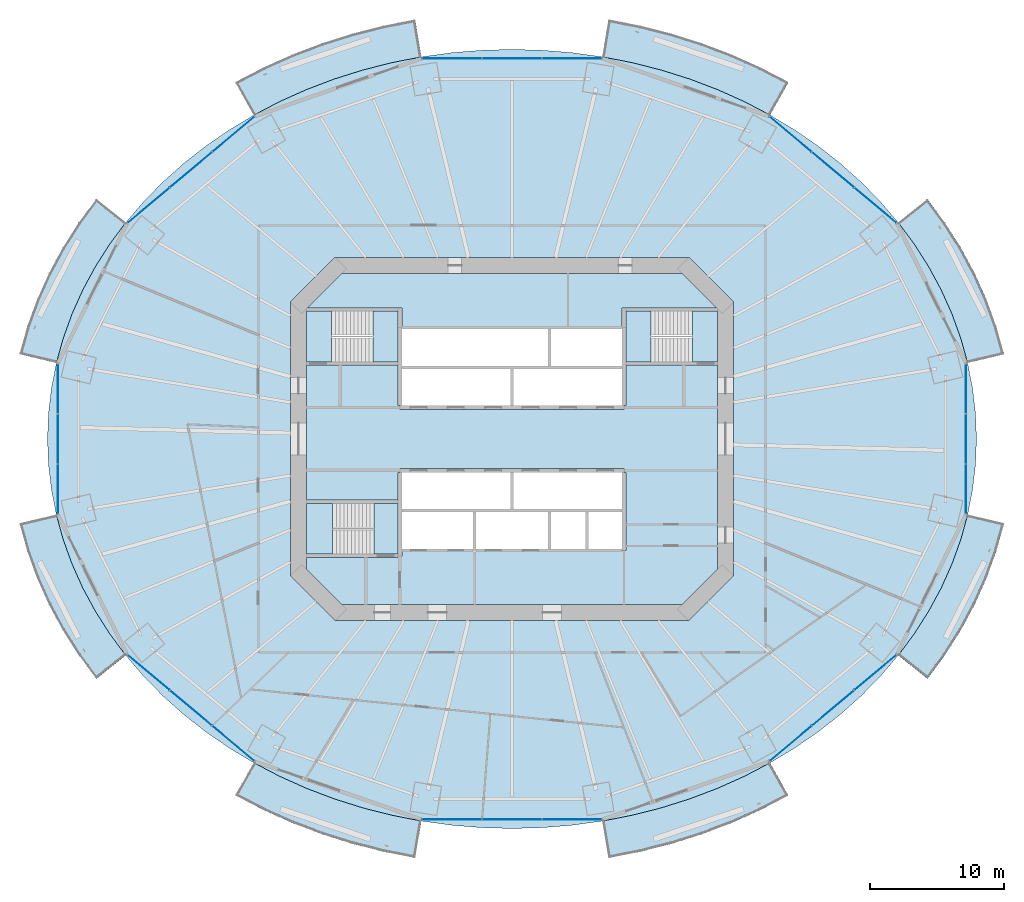
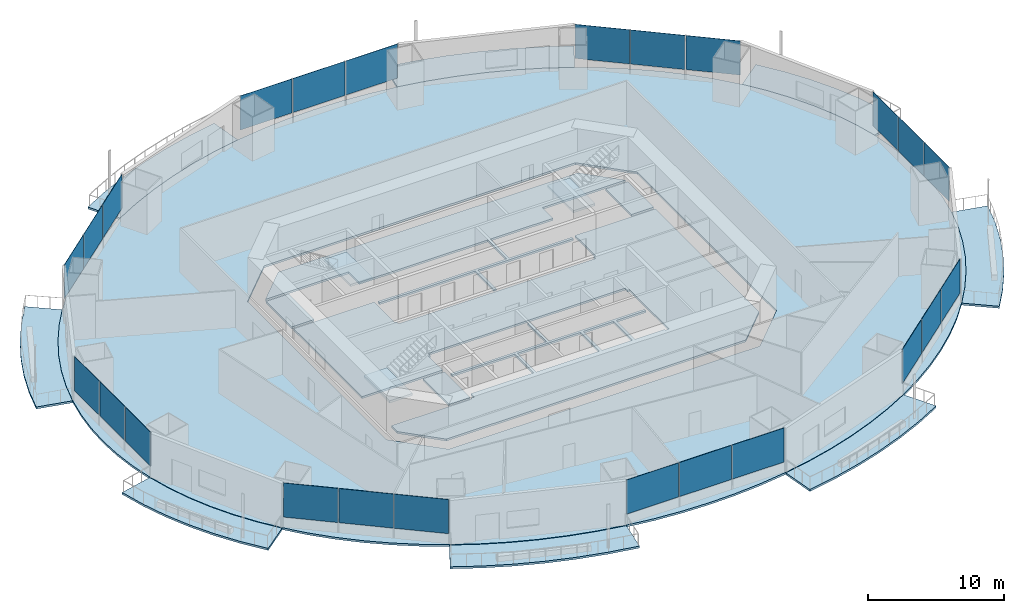
# One storey, part 12 of 22: 24 plates, 17 slabs, 11 elements without a shape of their own.
"""IFC4 building model written with IfcOpenShell, lengths in metres."""

from ifc_helpers import new_model, si_unit, direction, frame, origin, origin_2d, place, context, subcontext, project, spatial, polyline, rectangle, outline, extrude, material, layer, layer_set, type_object, element, aggregate, save


model = new_model("IFC4")

# Units and contexts
model_context = context("Model", 3, precision=1e-05, world=origin(), true_north=direction((0.0, 1.0)))
body_context = subcontext(model_context, "Body", "Model", "MODEL_VIEW")
ifc_project = project(units=[si_unit("LENGTHUNIT", "METRE"), si_unit("AREAUNIT", "SQUARE_METRE"), si_unit("VOLUMEUNIT", "CUBIC_METRE"), si_unit("PLANEANGLEUNIT", "RADIAN"), si_unit("MASSUNIT", "GRAM", prefix="KILO")], contexts=[model_context])

# Site, building, storey
site_placement = place(None, origin())
site = spatial("IfcSite", under=ifc_project, at=site_placement, CompositionType="ELEMENT")
building_placement = place(site_placement, origin())
building = spatial("IfcBuilding", under=site, at=building_placement, Name="Marenthal Gate Tower", CompositionType="ELEMENT")
storey_placement = place(building_placement, frame((0.0, 0.0, 103.550048828125)))
storey = spatial("IfcBuildingStorey", under=building, at=storey_placement, Name="L21", CompositionType="ELEMENT", Elevation=103.550048828125)

# Slabs
ifc_material_1 = material(Name="Concrete 40 MPa", Category="concrete")
ifc_layer_1 = layer(ifc_material_1, 0.179931640625)
ifc_layer_set_1 = layer_set([ifc_layer_1], Name="Balcony deck 180")
slab_type_1 = type_object("IfcSlabType", Name="Balcony deck 180", PredefinedType="USERDEFINED", material=ifc_layer_set_1)
slab_1_placement = place(storey_placement, frame((0.0, 0.0, -0.219970703125)))
element("IfcSlab", 1, at=slab_1_placement, inside=storey, type_object=slab_type_1, Name="Balcony deck L21 bay 1", ObjectType="BALCONY", PredefinedType="USERDEFINED", context=body_context, shape_type="SweptSolid", body=[
    extrude(outline(polyline([(34.11962890625, 5.69140625), (33.6025390625, 7.550537109375), (32.94189453125, 9.37744140625), (32.139892578125, 11.1640625), (31.200439453125, 12.90283203125), (30.127197265625, 14.58642578125), (28.92529296875, 16.207763671875), (31.114990234375, 17.95263671875), (32.43359375, 16.17431640625), (33.614013671875, 14.322265625), (34.650390625, 12.404052734375), (35.537109375, 10.427978515625), (36.269775390625, 8.40283203125), (36.843994140625, 6.337646484375), (34.11962890625, 5.69140625)])), origin(), (0.0, 0.0, 1.0), 0.179931640625),
])
slab_2_placement = place(storey_placement, frame((0.0, 0.0, -0.219970703125)))
element("IfcSlab", 2, at=slab_2_placement, inside=storey, type_object=slab_type_1, Name="Balcony deck L21 bay 3", ObjectType="BALCONY", PredefinedType="USERDEFINED", context=body_context, shape_type="SweptSolid", body=[
    extrude(outline(polyline([(19.3271484375, 24.256591796875), (17.39404296875, 25.2646484375), (15.38623046875, 26.16455078125), (13.312744140625, 26.952392578125), (11.18212890625, 27.624755859375), (9.00390625, 28.178955078125), (6.786865234375, 28.6123046875), (7.24755859375, 31.374267578125), (9.61767578125, 30.910888671875), (11.94873046875, 30.31787109375), (14.2314453125, 29.59716796875), (16.456298828125, 28.751953125), (18.6142578125, 27.78466796875), (20.69580078125, 26.69921875), (19.3271484375, 24.256591796875)])), origin(), (0.0, 0.0, 1.0), 0.179931640625),
])
slab_3_placement = place(storey_placement, frame((0.0, 0.0, -0.219970703125)))
element("IfcSlab", 3, at=slab_3_placement, inside=storey, type_object=slab_type_1, Name="Balcony deck L21 bay 5", ObjectType="BALCONY", PredefinedType="USERDEFINED", context=body_context, shape_type="SweptSolid", body=[
    extrude(outline(polyline([(-6.786865234375, 28.6123046875), (-9.00390625, 28.178955078125), (-11.18212890625, 27.624755859375), (-13.312744140625, 26.952392578125), (-15.38623046875, 26.16455078125), (-17.39404296875, 25.2646484375), (-19.3271484375, 24.256591796875), (-20.69580078125, 26.69921875), (-18.6142578125, 27.78466796875), (-16.456298828125, 28.751953125), (-14.2314453125, 29.59716796875), (-11.94873046875, 30.31787109375), (-9.61767578125, 30.910888671875), (-7.24755859375, 31.374267578125), (-6.786865234375, 28.6123046875)])), origin(), (0.0, 0.0, 1.0), 0.179931640625),
])
slab_4_placement = place(storey_placement, frame((0.0, 0.0, -0.219970703125)))
element("IfcSlab", 4, at=slab_4_placement, inside=storey, type_object=slab_type_1, Name="Balcony deck L21 bay 7", ObjectType="BALCONY", PredefinedType="USERDEFINED", context=body_context, shape_type="SweptSolid", body=[
    extrude(outline(polyline([(-28.92529296875, 16.207763671875), (-30.127197265625, 14.58642578125), (-31.200439453125, 12.90283203125), (-32.139892578125, 11.1640625), (-32.94189453125, 9.37744140625), (-33.6025390625, 7.550537109375), (-34.11962890625, 5.69140625), (-36.843994140625, 6.337646484375), (-36.269775390625, 8.40283203125), (-35.537109375, 10.427978515625), (-34.650390625, 12.404052734375), (-33.614013671875, 14.322265625), (-32.43359375, 16.17431640625), (-31.114990234375, 17.95263671875), (-28.92529296875, 16.207763671875)])), origin(), (0.0, 0.0, 1.0), 0.179931640625),
])
slab_5_placement = place(storey_placement, frame((0.0, 0.0, -0.219970703125)))
element("IfcSlab", 5, at=slab_5_placement, inside=storey, type_object=slab_type_1, Name="Balcony deck L21 bay 9", ObjectType="BALCONY", PredefinedType="USERDEFINED", context=body_context, shape_type="SweptSolid", body=[
    extrude(outline(polyline([(-34.11962890625, -5.69140625), (-33.6025390625, -7.550537109375), (-32.94189453125, -9.37744140625), (-32.139892578125, -11.1640625), (-31.200439453125, -12.90283203125), (-30.127197265625, -14.58642578125), (-28.92529296875, -16.207763671875), (-31.114990234375, -17.95263671875), (-32.43359375, -16.17431640625), (-33.614013671875, -14.322265625), (-34.650390625, -12.404052734375), (-35.537109375, -10.427978515625), (-36.269775390625, -8.40283203125), (-36.843994140625, -6.337646484375), (-34.11962890625, -5.69140625)])), origin(), (0.0, 0.0, 1.0), 0.179931640625),
])
slab_6_placement = place(storey_placement, frame((0.0, 0.0, -0.219970703125)))
element("IfcSlab", 6, at=slab_6_placement, inside=storey, type_object=slab_type_1, Name="Balcony deck L21 bay 11", ObjectType="BALCONY", PredefinedType="USERDEFINED", context=body_context, shape_type="SweptSolid", body=[
    extrude(outline(polyline([(-19.3271484375, -24.256591796875), (-17.39404296875, -25.2646484375), (-15.38623046875, -26.16455078125), (-13.312744140625, -26.952392578125), (-11.18212890625, -27.624755859375), (-9.00390625, -28.178955078125), (-6.786865234375, -28.6123046875), (-7.24755859375, -31.374267578125), (-9.61767578125, -30.910888671875), (-11.94873046875, -30.31787109375), (-14.2314453125, -29.59716796875), (-16.456298828125, -28.751953125), (-18.6142578125, -27.78466796875), (-20.69580078125, -26.69921875), (-19.3271484375, -24.256591796875)])), origin(), (0.0, 0.0, 1.0), 0.179931640625),
])
slab_7_placement = place(storey_placement, frame((0.0, 0.0, -0.219970703125)))
element("IfcSlab", 7, at=slab_7_placement, inside=storey, type_object=slab_type_1, Name="Balcony deck L21 bay 13", ObjectType="BALCONY", PredefinedType="USERDEFINED", context=body_context, shape_type="SweptSolid", body=[
    extrude(outline(polyline([(6.786865234375, -28.6123046875), (9.00390625, -28.178955078125), (11.18212890625, -27.624755859375), (13.312744140625, -26.952392578125), (15.38623046875, -26.16455078125), (17.39404296875, -25.2646484375), (19.3271484375, -24.256591796875), (20.69580078125, -26.69921875), (18.6142578125, -27.78466796875), (16.456298828125, -28.751953125), (14.2314453125, -29.59716796875), (11.94873046875, -30.31787109375), (9.61767578125, -30.910888671875), (7.24755859375, -31.374267578125), (6.786865234375, -28.6123046875)])), origin(), (0.0, 0.0, 1.0), 0.179931640625),
])
slab_8_placement = place(storey_placement, frame((0.0, 0.0, -0.219970703125)))
element("IfcSlab", 8, at=slab_8_placement, inside=storey, type_object=slab_type_1, Name="Balcony deck L21 bay 15", ObjectType="BALCONY", PredefinedType="USERDEFINED", context=body_context, shape_type="SweptSolid", body=[
    extrude(outline(polyline([(28.92529296875, -16.207763671875), (30.127197265625, -14.58642578125), (31.200439453125, -12.90283203125), (32.139892578125, -11.1640625), (32.94189453125, -9.37744140625), (33.6025390625, -7.550537109375), (34.11962890625, -5.69140625), (36.843994140625, -6.337646484375), (36.269775390625, -8.40283203125), (35.537109375, -10.427978515625), (34.650390625, -12.404052734375), (33.614013671875, -14.322265625), (32.43359375, -16.17431640625), (31.114990234375, -17.95263671875), (28.92529296875, -16.207763671875)])), origin(), (0.0, 0.0, 1.0), 0.179931640625),
])
ifc_material_2 = material(Name="Concrete 50 MPa", Category="concrete")
ifc_layer_2 = layer(ifc_material_2, 0.179931640625)
ifc_layer_set_2 = layer_set([ifc_layer_2], Name="Core floor slab 180")
slab_type_2 = type_object("IfcSlabType", Name="Core floor slab 180", PredefinedType="FLOOR", material=ifc_layer_set_2)
slab_9_placement = place(storey_placement, frame((0.0, 0.0, -0.179931640625)))
element("IfcSlab", 9, at=slab_9_placement, inside=storey, type_object=slab_type_2, Name="Core floor L21", PredefinedType="FLOOR", context=body_context, shape_type="SweptSolid", body=[
    extrude(outline(polyline([(15.39990234375, -9.75146484375), (12.75146484375, -12.39990234375), (-12.75146484375, -12.39990234375), (-15.39990234375, -9.75146484375), (-15.39990234375, -8.875), (-8.550048828125, -8.875), (-8.550048828125, -8.75), (-8.25, -8.75), (-8.25, -8.239990234375), (-5.60009765625, -8.239990234375), (-2.909912109375, -8.239990234375), (-2.909912109375, -5.4599609375), (-5.60009765625, -5.4599609375), (-8.25, -5.4599609375), (-8.25, -5.239990234375), (-5.60009765625, -5.239990234375), (-2.800048828125, -5.239990234375), (-0.110107421875, -5.239990234375), (-0.110107421875, -2.5), (0.110107421875, -2.5), (0.110107421875, -5.239990234375), (2.800048828125, -5.239990234375), (5.60009765625, -5.239990234375), (8.25, -5.239990234375), (8.25, -5.4599609375), (5.7099609375, -5.4599609375), (5.7099609375, -8.239990234375), (8.25, -8.239990234375), (8.25, -8.35009765625), (8.550048828125, -8.35009765625), (8.550048828125, -2.5), (8.39990234375, -2.5), (8.39990234375, -2.199951171875), (-8.39990234375, -2.199951171875), (-8.39990234375, -2.5), (-8.550048828125, -2.5), (-8.550048828125, -4.574951171875), (-15.39990234375, -4.574951171875), (-15.39990234375, 5.52490234375), (-8.550048828125, 5.52490234375), (-8.550048828125, 2.5), (-8.39990234375, 2.5), (-8.39990234375, 2.199951171875), (8.39990234375, 2.199951171875), (8.39990234375, 2.5), (8.550048828125, 2.5), (8.550048828125, 5.52490234375), (15.39990234375, 5.52490234375), (15.39990234375, -9.75146484375)]), holes=[polyline([(2.68994140625, -5.4599609375), (0.0, -5.4599609375), (-2.68994140625, -5.4599609375), (-2.68994140625, -8.239990234375), (0.0, -8.239990234375), (2.68994140625, -8.239990234375), (2.68994140625, -5.4599609375)]), polyline([(5.489990234375, -5.4599609375), (2.909912109375, -5.4599609375), (2.909912109375, -8.239990234375), (5.489990234375, -8.239990234375), (5.489990234375, -5.4599609375)])]), origin(), (0.0, 0.0, 1.0), 0.179931640625),
])
slab_10_placement = place(storey_placement, frame((0.0, 0.0, -0.179931640625)))
element("IfcSlab", 10, at=slab_10_placement, inside=storey, type_object=slab_type_2, Name="Core floor L21", PredefinedType="FLOOR", context=body_context, shape_type="SweptSolid", body=[
    extrude(outline(polyline([(15.39990234375, 5.77490234375), (13.5, 5.77490234375), (13.5, 9.574951171875), (15.39990234375, 9.574951171875), (15.39990234375, 5.77490234375)])), origin(), (0.0, 0.0, 1.0), 0.179931640625),
])
slab_11_placement = place(storey_placement, frame((0.0, 0.0, -0.179931640625)))
element("IfcSlab", 11, at=slab_11_placement, inside=storey, type_object=slab_type_2, Name="Core floor L21", PredefinedType="FLOOR", context=body_context, shape_type="SweptSolid", body=[
    extrude(outline(polyline([(12.75146484375, 12.39990234375), (15.326416015625, 9.824951171875), (8.550048828125, 9.824951171875), (8.25, 9.824951171875), (8.25, 8.35009765625), (8.25, 8.239990234375), (5.60009765625, 8.239990234375), (2.909912109375, 8.239990234375), (2.909912109375, 5.4599609375), (5.60009765625, 5.4599609375), (8.25, 5.4599609375), (8.25, 5.239990234375), (5.60009765625, 5.239990234375), (2.800048828125, 5.239990234375), (0.110107421875, 5.239990234375), (0.110107421875, 2.5), (-0.110107421875, 2.5), (-0.110107421875, 5.239990234375), (-2.800048828125, 5.239990234375), (-5.60009765625, 5.239990234375), (-8.25, 5.239990234375), (-8.25, 5.4599609375), (-5.60009765625, 5.4599609375), (-2.800048828125, 5.4599609375), (0.0, 5.4599609375), (2.68994140625, 5.4599609375), (2.68994140625, 8.239990234375), (0.0, 8.239990234375), (-2.800048828125, 8.239990234375), (-5.60009765625, 8.239990234375), (-8.25, 8.239990234375), (-8.25, 8.35009765625), (-8.25, 9.824951171875), (-8.550048828125, 9.824951171875), (-15.326416015625, 9.824951171875), (-12.75146484375, 12.39990234375), (12.75146484375, 12.39990234375)])), origin(), (0.0, 0.0, 1.0), 0.179931640625),
])
slab_12_placement = place(storey_placement, frame((0.0, 0.0, -0.179931640625)))
element("IfcSlab", 12, at=slab_12_placement, inside=storey, type_object=slab_type_2, Name="Core floor L21", PredefinedType="FLOOR", context=body_context, shape_type="SweptSolid", body=[
    extrude(outline(polyline([(-15.39990234375, 9.574951171875), (-13.5, 9.574951171875), (-13.5, 5.77490234375), (-15.39990234375, 5.77490234375), (-15.39990234375, 9.574951171875)])), origin(), (0.0, 0.0, 1.0), 0.179931640625),
])
slab_13_placement = place(storey_placement, frame((0.0, 0.0, -0.179931640625)))
element("IfcSlab", 13, at=slab_13_placement, inside=storey, type_object=slab_type_2, Name="Core floor L21", PredefinedType="FLOOR", context=body_context, shape_type="SweptSolid", body=[
    extrude(outline(polyline([(-8.550048828125, -8.625), (-10.35009765625, -8.625), (-10.35009765625, -4.824951171875), (-8.550048828125, -4.824951171875), (-8.550048828125, -8.625)])), origin(), (0.0, 0.0, 1.0), 0.179931640625),
])
ifc_material_3 = material(Name="Concrete 35 MPa", Category="concrete")
ifc_layer_3 = layer(ifc_material_3, 0.179931640625)
ifc_layer_set_3 = layer_set([ifc_layer_3], Name="Floor slab 180")
slab_type_3 = type_object("IfcSlabType", Name="Floor slab 180", PredefinedType="FLOOR", material=ifc_layer_set_3)
slab_14_placement = place(storey_placement, frame((0.0, 0.0, -0.179931640625)))
element("IfcSlab", 14, at=slab_14_placement, inside=storey, type_object=slab_type_3, Name="SL-L21-01", PredefinedType="FLOOR", context=body_context, shape_type="SweptSolid", body=[
    extrude(outline(polyline([(34.7880859375, 0.0), (34.71337890625, 1.907958984375), (34.490478515625, 3.807861328125), (34.11962890625, 5.69140625), (33.6025390625, 7.550537109375), (32.94189453125, 9.37744140625), (32.139892578125, 11.1640625), (31.200439453125, 12.90283203125), (30.127197265625, 14.58642578125), (28.92529296875, 16.207763671875), (27.59912109375, 17.759521484375), (26.155029296875, 19.235107421875), (24.598876953125, 20.62841796875), (22.937255859375, 21.933349609375), (21.177490234375, 23.14453125), (19.3271484375, 24.256591796875), (17.39404296875, 25.2646484375), (15.38623046875, 26.16455078125), (13.312744140625, 26.952392578125), (11.18212890625, 27.624755859375), (9.00390625, 28.178955078125), (6.786865234375, 28.6123046875), (4.540771484375, 28.92333984375), (2.275146484375, 29.110595703125), (0.0, 29.173095703125), (-2.275146484375, 29.110595703125), (-4.540771484375, 28.92333984375), (-6.786865234375, 28.6123046875), (-9.00390625, 28.178955078125), (-11.18212890625, 27.624755859375), (-13.312744140625, 26.952392578125), (-15.38623046875, 26.16455078125), (-17.39404296875, 25.2646484375), (-19.3271484375, 24.256591796875), (-21.177490234375, 23.14453125), (-22.937255859375, 21.933349609375), (-24.598876953125, 20.62841796875), (-26.155029296875, 19.235107421875), (-27.59912109375, 17.759521484375), (-28.92529296875, 16.207763671875), (-30.127197265625, 14.58642578125), (-31.200439453125, 12.90283203125), (-32.139892578125, 11.1640625), (-32.94189453125, 9.37744140625), (-33.6025390625, 7.550537109375), (-34.11962890625, 5.69140625), (-34.490478515625, 3.807861328125), (-34.71337890625, 1.907958984375), (-34.7880859375, 0.0), (-34.71337890625, -1.907958984375), (-34.490478515625, -3.807861328125), (-34.11962890625, -5.69140625), (-33.6025390625, -7.550537109375), (-32.94189453125, -9.37744140625), (-32.139892578125, -11.1640625), (-31.200439453125, -12.90283203125), (-30.127197265625, -14.58642578125), (-28.92529296875, -16.207763671875), (-27.59912109375, -17.759521484375), (-26.155029296875, -19.235107421875), (-24.598876953125, -20.62841796875), (-22.937255859375, -21.933349609375), (-21.177490234375, -23.14453125), (-19.3271484375, -24.256591796875), (-17.39404296875, -25.2646484375), (-15.38623046875, -26.16455078125), (-13.312744140625, -26.952392578125), (-11.18212890625, -27.624755859375), (-9.00390625, -28.178955078125), (-6.786865234375, -28.6123046875), (-4.540771484375, -28.92333984375), (-2.275146484375, -29.110595703125), (0.0, -29.173095703125), (2.275146484375, -29.110595703125), (4.540771484375, -28.92333984375), (6.786865234375, -28.6123046875), (9.00390625, -28.178955078125), (11.18212890625, -27.624755859375), (13.312744140625, -26.952392578125), (15.38623046875, -26.16455078125), (17.39404296875, -25.2646484375), (19.3271484375, -24.256591796875), (21.177490234375, -23.14453125), (22.937255859375, -21.933349609375), (24.598876953125, -20.62841796875), (26.155029296875, -19.235107421875), (27.59912109375, -17.759521484375), (28.92529296875, -16.207763671875), (30.127197265625, -14.58642578125), (31.200439453125, -12.90283203125), (32.139892578125, -11.1640625), (32.94189453125, -9.37744140625), (33.6025390625, -7.550537109375), (34.11962890625, -5.69140625), (34.490478515625, -3.807861328125), (34.71337890625, -1.907958984375), (34.7880859375, 0.0)]), holes=[polyline([(13.24853515625, -13.60009765625), (16.60009765625, -10.24853515625), (16.60009765625, 10.24853515625), (13.24853515625, 13.60009765625), (-13.24853515625, 13.60009765625), (-16.60009765625, 10.24853515625), (-16.60009765625, -10.24853515625), (-13.24853515625, -13.60009765625), (13.24853515625, -13.60009765625)])]), origin(), (0.0, 0.0, 1.0), 0.179931640625),
])

# Curtain wall, plates
ifc_material_4 = material(Name="Aluminium and glass", Category="aluminium")
curtain_wall_type = type_object("IfcCurtainWallType", Name="Curtain wall typical low", PredefinedType="NOTDEFINED", material=ifc_material_4)
curtain_wall_1_placement = place(storey_placement, origin())
curtain_wall_1 = element("IfcCurtainWall", 15, at=curtain_wall_1_placement, inside=storey, type_object=curtain_wall_type, Name="Curtain wall L21 bay 2", PredefinedType="NOTDEFINED")
ifc_material_5 = material(Name="Glass, laminated insulating unit", Category="glass")
ifc_layer_4 = layer(ifc_material_5, 0.030029296875)
ifc_layer_set_4 = layer_set([ifc_layer_4], Name="Glass panel 30 typical low")
plate_type = type_object("IfcPlateType", Name="Glass panel 30 typical low", PredefinedType="CURTAIN_PANEL", material=ifc_layer_set_4)
plate_1_placement = place(storey_placement, frame((27.2158203125, 17.48974609375, 0.89990234375), z_axis=(0.0, 0.0, 1.0), x_axis=(-0.766446913648, 0.642307658805, 0.0)))
plate_1 = element("IfcPlate", 16, at=plate_1_placement, type_object=plate_type, Name="Glass panel L21 bay 2.1", PredefinedType="CURTAIN_PANEL", context=body_context, shape_type="SweptSolid", body=[
    extrude(rectangle(XDim=4.079833984375, YDim=0.030029296875, at=origin_2d()), origin(), (0.0, 0.0, 1.0), 3.070068359375),
])
plate_2_placement = place(storey_placement, frame((24.04296875, 20.14892578125, 0.89990234375), z_axis=(0.0, 0.0, 1.0), x_axis=(-0.766446913648, 0.642307658805, 0.0)))
plate_2 = element("IfcPlate", 17, at=plate_2_placement, type_object=plate_type, Name="Glass panel L21 bay 2.2", PredefinedType="CURTAIN_PANEL", context=body_context, shape_type="SweptSolid", body=[
    extrude(rectangle(XDim=4.079833984375, YDim=0.030029296875, at=origin_2d()), origin(), (0.0, 0.0, 1.0), 3.070068359375),
])
plate_3_placement = place(storey_placement, frame((20.869873046875, 22.807861328125, 0.89990234375), z_axis=(0.0, 0.0, 1.0), x_axis=(-0.766446913648, 0.642307658805, 0.0)))
plate_3 = element("IfcPlate", 18, at=plate_3_placement, type_object=plate_type, Name="Glass panel L21 bay 2.3", PredefinedType="CURTAIN_PANEL", context=body_context, shape_type="SweptSolid", body=[
    extrude(rectangle(XDim=4.079833984375, YDim=0.030029296875, at=origin_2d()), origin(), (0.0, 0.0, 1.0), 3.070068359375),
])
aggregate(curtain_wall_1, [plate_1, plate_2, plate_3])

curtain_wall_2_placement = place(storey_placement, origin())
curtain_wall_2 = element("IfcCurtainWall", 19, at=curtain_wall_2_placement, inside=storey, type_object=curtain_wall_type, Name="Curtain wall L21 bay 4", PredefinedType="NOTDEFINED")
plate_4_placement = place(storey_placement, frame((4.489013671875, 28.494873046875, 0.89990234375), z_axis=(0.0, 0.0, 1.0), x_axis=(-1.0, 0.0, 0.0)))
plate_4 = element("IfcPlate", 20, at=plate_4_placement, type_object=plate_type, Name="Glass panel L21 bay 4.1", PredefinedType="CURTAIN_PANEL", context=body_context, shape_type="SweptSolid", body=[
    extrude(rectangle(XDim=4.428955078125, YDim=0.030029296875, at=origin_2d()), origin(), (0.0, 0.0, 1.0), 3.070068359375),
])
plate_5_placement = place(storey_placement, frame((0.0, 28.494873046875, 0.89990234375), z_axis=(0.0, 0.0, 1.0), x_axis=(-1.0, 0.0, 0.0)))
plate_5 = element("IfcPlate", 21, at=plate_5_placement, type_object=plate_type, Name="Glass panel L21 bay 4.2", PredefinedType="CURTAIN_PANEL", context=body_context, shape_type="SweptSolid", body=[
    extrude(rectangle(XDim=4.428955078125, YDim=0.030029296875, at=origin_2d()), origin(), (0.0, 0.0, 1.0), 3.070068359375),
])
plate_6_placement = place(storey_placement, frame((-4.489013671875, 28.494873046875, 0.89990234375), z_axis=(0.0, 0.0, 1.0), x_axis=(-1.0, 0.0, 0.0)))
plate_6 = element("IfcPlate", 22, at=plate_6_placement, type_object=plate_type, Name="Glass panel L21 bay 4.3", PredefinedType="CURTAIN_PANEL", context=body_context, shape_type="SweptSolid", body=[
    extrude(rectangle(XDim=4.428955078125, YDim=0.030029296875, at=origin_2d()), origin(), (0.0, 0.0, 1.0), 3.070068359375),
])
aggregate(curtain_wall_2, [plate_4, plate_5, plate_6])

curtain_wall_3_placement = place(storey_placement, origin())
curtain_wall_3 = element("IfcCurtainWall", 23, at=curtain_wall_3_placement, inside=storey, type_object=curtain_wall_type, Name="Curtain wall L21 bay 6", PredefinedType="NOTDEFINED")
plate_7_placement = place(storey_placement, frame((-20.869873046875, 22.807861328125, 0.89990234375), z_axis=(0.0, 0.0, 1.0), x_axis=(-0.766446913648, -0.642307658805, 0.0)))
plate_7 = element("IfcPlate", 24, at=plate_7_placement, type_object=plate_type, Name="Glass panel L21 bay 6.1", PredefinedType="CURTAIN_PANEL", context=body_context, shape_type="SweptSolid", body=[
    extrude(rectangle(XDim=4.079833984375, YDim=0.030029296875, at=origin_2d()), origin(), (0.0, 0.0, 1.0), 3.070068359375),
])
plate_8_placement = place(storey_placement, frame((-24.04296875, 20.14892578125, 0.89990234375), z_axis=(0.0, 0.0, 1.0), x_axis=(-0.766446913648, -0.642307658805, 0.0)))
plate_8 = element("IfcPlate", 25, at=plate_8_placement, type_object=plate_type, Name="Glass panel L21 bay 6.2", PredefinedType="CURTAIN_PANEL", context=body_context, shape_type="SweptSolid", body=[
    extrude(rectangle(XDim=4.079833984375, YDim=0.030029296875, at=origin_2d()), origin(), (0.0, 0.0, 1.0), 3.070068359375),
])
plate_9_placement = place(storey_placement, frame((-27.2158203125, 17.48974609375, 0.89990234375), z_axis=(0.0, 0.0, 1.0), x_axis=(-0.766446913648, -0.642307658805, 0.0)))
plate_9 = element("IfcPlate", 26, at=plate_9_placement, type_object=plate_type, Name="Glass panel L21 bay 6.3", PredefinedType="CURTAIN_PANEL", context=body_context, shape_type="SweptSolid", body=[
    extrude(rectangle(XDim=4.079833984375, YDim=0.030029296875, at=origin_2d()), origin(), (0.0, 0.0, 1.0), 3.070068359375),
])
aggregate(curtain_wall_3, [plate_7, plate_8, plate_9])

curtain_wall_4_placement = place(storey_placement, origin())
curtain_wall_4 = element("IfcCurtainWall", 27, at=curtain_wall_4_placement, inside=storey, type_object=curtain_wall_type, Name="Curtain wall L21 bay 8", PredefinedType="NOTDEFINED")
plate_10_placement = place(storey_placement, frame((-34.001953125, 3.758544921875, 0.89990234375), z_axis=(0.0, 0.0, 1.0), x_axis=(0.0, -1.0, 0.0)))
plate_10 = element("IfcPlate", 28, at=plate_10_placement, type_object=plate_type, Name="Glass panel L21 bay 8.1", PredefinedType="CURTAIN_PANEL", context=body_context, shape_type="SweptSolid", body=[
    extrude(rectangle(XDim=3.69873046875, YDim=0.030029296875, at=origin_2d()), origin(), (0.0, 0.0, 1.0), 3.070068359375),
])
plate_11_placement = place(storey_placement, frame((-34.001953125, 0.0, 0.89990234375), z_axis=(0.0, 0.0, 1.0), x_axis=(0.0, -1.0, 0.0)))
plate_11 = element("IfcPlate", 29, at=plate_11_placement, type_object=plate_type, Name="Glass panel L21 bay 8.2", PredefinedType="CURTAIN_PANEL", context=body_context, shape_type="SweptSolid", body=[
    extrude(rectangle(XDim=3.698486328125, YDim=0.030029296875, at=origin_2d()), origin(), (0.0, 0.0, 1.0), 3.070068359375),
])
plate_12_placement = place(storey_placement, frame((-34.001953125, -3.758544921875, 0.89990234375), z_axis=(0.0, 0.0, 1.0), x_axis=(0.0, -1.0, 0.0)))
plate_12 = element("IfcPlate", 30, at=plate_12_placement, type_object=plate_type, Name="Glass panel L21 bay 8.3", PredefinedType="CURTAIN_PANEL", context=body_context, shape_type="SweptSolid", body=[
    extrude(rectangle(XDim=3.69873046875, YDim=0.030029296875, at=origin_2d()), origin(), (0.0, 0.0, 1.0), 3.070068359375),
])
aggregate(curtain_wall_4, [plate_10, plate_11, plate_12])

curtain_wall_5_placement = place(storey_placement, origin())
curtain_wall_5 = element("IfcCurtainWall", 31, at=curtain_wall_5_placement, inside=storey, type_object=curtain_wall_type, Name="Curtain wall L21 bay 10", PredefinedType="NOTDEFINED")
plate_13_placement = place(storey_placement, frame((-27.2158203125, -17.48974609375, 0.89990234375), z_axis=(0.0, 0.0, 1.0), x_axis=(0.766446913648, -0.642307658805, 0.0)))
plate_13 = element("IfcPlate", 32, at=plate_13_placement, type_object=plate_type, Name="Glass panel L21 bay 10.1", PredefinedType="CURTAIN_PANEL", context=body_context, shape_type="SweptSolid", body=[
    extrude(rectangle(XDim=4.079833984375, YDim=0.030029296875, at=origin_2d()), origin(), (0.0, 0.0, 1.0), 3.070068359375),
])
plate_14_placement = place(storey_placement, frame((-24.04296875, -20.14892578125, 0.89990234375), z_axis=(0.0, 0.0, 1.0), x_axis=(0.766446913648, -0.642307658805, 0.0)))
plate_14 = element("IfcPlate", 33, at=plate_14_placement, type_object=plate_type, Name="Glass panel L21 bay 10.2", PredefinedType="CURTAIN_PANEL", context=body_context, shape_type="SweptSolid", body=[
    extrude(rectangle(XDim=4.079833984375, YDim=0.030029296875, at=origin_2d()), origin(), (0.0, 0.0, 1.0), 3.070068359375),
])
plate_15_placement = place(storey_placement, frame((-20.869873046875, -22.807861328125, 0.89990234375), z_axis=(0.0, 0.0, 1.0), x_axis=(0.766446913648, -0.642307658805, 0.0)))
plate_15 = element("IfcPlate", 34, at=plate_15_placement, type_object=plate_type, Name="Glass panel L21 bay 10.3", PredefinedType="CURTAIN_PANEL", context=body_context, shape_type="SweptSolid", body=[
    extrude(rectangle(XDim=4.079833984375, YDim=0.030029296875, at=origin_2d()), origin(), (0.0, 0.0, 1.0), 3.070068359375),
])
aggregate(curtain_wall_5, [plate_13, plate_14, plate_15])

curtain_wall_6_placement = place(storey_placement, origin())
curtain_wall_6 = element("IfcCurtainWall", 35, at=curtain_wall_6_placement, inside=storey, type_object=curtain_wall_type, Name="Curtain wall L21 bay 12", PredefinedType="NOTDEFINED")
plate_16_placement = place(storey_placement, frame((-4.489013671875, -28.494873046875, 0.89990234375), z_axis=(0.0, 0.0, 1.0), x_axis=(1.0, 0.0, 0.0)))
plate_16 = element("IfcPlate", 36, at=plate_16_placement, type_object=plate_type, Name="Glass panel L21 bay 12.1", PredefinedType="CURTAIN_PANEL", context=body_context, shape_type="SweptSolid", body=[
    extrude(rectangle(XDim=4.428955078125, YDim=0.030029296875, at=origin_2d()), origin(), (0.0, 0.0, 1.0), 3.070068359375),
])
plate_17_placement = place(storey_placement, frame((0.0, -28.494873046875, 0.89990234375), z_axis=(0.0, 0.0, 1.0), x_axis=(1.0, 0.0, 0.0)))
plate_17 = element("IfcPlate", 37, at=plate_17_placement, type_object=plate_type, Name="Glass panel L21 bay 12.2", PredefinedType="CURTAIN_PANEL", context=body_context, shape_type="SweptSolid", body=[
    extrude(rectangle(XDim=4.428955078125, YDim=0.030029296875, at=origin_2d()), origin(), (0.0, 0.0, 1.0), 3.070068359375),
])
plate_18_placement = place(storey_placement, frame((4.489013671875, -28.494873046875, 0.89990234375), z_axis=(0.0, 0.0, 1.0), x_axis=(1.0, 0.0, 0.0)))
plate_18 = element("IfcPlate", 38, at=plate_18_placement, type_object=plate_type, Name="Glass panel L21 bay 12.3", PredefinedType="CURTAIN_PANEL", context=body_context, shape_type="SweptSolid", body=[
    extrude(rectangle(XDim=4.428955078125, YDim=0.030029296875, at=origin_2d()), origin(), (0.0, 0.0, 1.0), 3.070068359375),
])
aggregate(curtain_wall_6, [plate_16, plate_17, plate_18])

curtain_wall_7_placement = place(storey_placement, origin())
curtain_wall_7 = element("IfcCurtainWall", 39, at=curtain_wall_7_placement, inside=storey, type_object=curtain_wall_type, Name="Curtain wall L21 bay 14", PredefinedType="NOTDEFINED")
plate_19_placement = place(storey_placement, frame((20.869873046875, -22.807861328125, 0.89990234375), z_axis=(0.0, 0.0, 1.0), x_axis=(0.766446913648, 0.642307658805, 0.0)))
plate_19 = element("IfcPlate", 40, at=plate_19_placement, type_object=plate_type, Name="Glass panel L21 bay 14.1", PredefinedType="CURTAIN_PANEL", context=body_context, shape_type="SweptSolid", body=[
    extrude(rectangle(XDim=4.079833984375, YDim=0.030029296875, at=origin_2d()), origin(), (0.0, 0.0, 1.0), 3.070068359375),
])
plate_20_placement = place(storey_placement, frame((24.04296875, -20.14892578125, 0.89990234375), z_axis=(0.0, 0.0, 1.0), x_axis=(0.766446913648, 0.642307658805, 0.0)))
plate_20 = element("IfcPlate", 41, at=plate_20_placement, type_object=plate_type, Name="Glass panel L21 bay 14.2", PredefinedType="CURTAIN_PANEL", context=body_context, shape_type="SweptSolid", body=[
    extrude(rectangle(XDim=4.079833984375, YDim=0.030029296875, at=origin_2d()), origin(), (0.0, 0.0, 1.0), 3.070068359375),
])
plate_21_placement = place(storey_placement, frame((27.2158203125, -17.48974609375, 0.89990234375), z_axis=(0.0, 0.0, 1.0), x_axis=(0.766446913648, 0.642307658805, 0.0)))
plate_21 = element("IfcPlate", 42, at=plate_21_placement, type_object=plate_type, Name="Glass panel L21 bay 14.3", PredefinedType="CURTAIN_PANEL", context=body_context, shape_type="SweptSolid", body=[
    extrude(rectangle(XDim=4.079833984375, YDim=0.030029296875, at=origin_2d()), origin(), (0.0, 0.0, 1.0), 3.070068359375),
])
aggregate(curtain_wall_7, [plate_19, plate_20, plate_21])

curtain_wall_8_placement = place(storey_placement, origin())
curtain_wall_8 = element("IfcCurtainWall", 43, at=curtain_wall_8_placement, inside=storey, type_object=curtain_wall_type, Name="Curtain wall L21 bay 16", PredefinedType="NOTDEFINED")
plate_22_placement = place(storey_placement, frame((34.001953125, -3.758544921875, 0.89990234375), z_axis=(0.0, 0.0, 1.0), x_axis=(0.0, 1.0, 0.0)))
plate_22 = element("IfcPlate", 44, at=plate_22_placement, type_object=plate_type, Name="Glass panel L21 bay 16.1", PredefinedType="CURTAIN_PANEL", context=body_context, shape_type="SweptSolid", body=[
    extrude(rectangle(XDim=3.69873046875, YDim=0.030029296875, at=origin_2d()), origin(), (0.0, 0.0, 1.0), 3.070068359375),
])
plate_23_placement = place(storey_placement, frame((34.001953125, 0.0, 0.89990234375), z_axis=(0.0, 0.0, 1.0), x_axis=(0.0, 1.0, 0.0)))
plate_23 = element("IfcPlate", 45, at=plate_23_placement, type_object=plate_type, Name="Glass panel L21 bay 16.2", PredefinedType="CURTAIN_PANEL", context=body_context, shape_type="SweptSolid", body=[
    extrude(rectangle(XDim=3.698486328125, YDim=0.030029296875, at=origin_2d()), origin(), (0.0, 0.0, 1.0), 3.070068359375),
])
plate_24_placement = place(storey_placement, frame((34.001953125, 3.758544921875, 0.89990234375), z_axis=(0.0, 0.0, 1.0), x_axis=(0.0, 1.0, 0.0)))
plate_24 = element("IfcPlate", 46, at=plate_24_placement, type_object=plate_type, Name="Glass panel L21 bay 16.3", PredefinedType="CURTAIN_PANEL", context=body_context, shape_type="SweptSolid", body=[
    extrude(rectangle(XDim=3.69873046875, YDim=0.030029296875, at=origin_2d()), origin(), (0.0, 0.0, 1.0), 3.070068359375),
])
aggregate(curtain_wall_8, [plate_22, plate_23, plate_24])

# Stair, slab
ifc_material_6 = material(Name="Concrete 40 MPa", Category="concrete")
stair_type = type_object("IfcStairType", Name="Exit stair 1800", PredefinedType="HALF_TURN_STAIR", material=ifc_material_6)
stair_1_placement = place(storey_placement, origin())
stair_1 = element("IfcStair", 47, at=stair_1_placement, inside=storey, type_object=stair_type, Name="Stair ST1", PredefinedType="HALF_TURN_STAIR")
ifc_material_7 = material(Name="Concrete 40 MPa", Category="concrete")
ifc_layer_5 = layer(ifc_material_7, 0.199951171875)
ifc_layer_set_5 = layer_set([ifc_layer_5], Name="Stair landing 200")
slab_type_4 = type_object("IfcSlabType", Name="Stair landing 200", PredefinedType="LANDING", material=ifc_layer_set_5)
slab_15_placement = place(storey_placement, frame((0.0, 0.0, 1.875)))
slab_15 = element("IfcSlab", 48, at=slab_15_placement, type_object=slab_type_4, Name="ST1 landing 1", PredefinedType="LANDING", context=body_context, shape_type="SweptSolid", body=[
    extrude(outline(polyline([(-10.419921875, 5.77490234375), (-8.550048828125, 5.77490234375), (-8.550048828125, 9.574951171875), (-10.419921875, 9.574951171875), (-10.419921875, 5.77490234375)])), origin(), (0.0, 0.0, 1.0), 0.199951171875),
])
aggregate(stair_1, [slab_15])

stair_2_placement = place(storey_placement, origin())
stair_2 = element("IfcStair", 49, at=stair_2_placement, inside=storey, type_object=stair_type, Name="Stair ST2", PredefinedType="HALF_TURN_STAIR")
slab_16_placement = place(storey_placement, frame((0.0, 0.0, 1.875)))
slab_16 = element("IfcSlab", 50, at=slab_16_placement, type_object=slab_type_4, Name="ST2 landing 1", PredefinedType="LANDING", context=body_context, shape_type="SweptSolid", body=[
    extrude(outline(polyline([(-15.39990234375, -8.625), (-13.429931640625, -8.625), (-13.429931640625, -4.824951171875), (-15.39990234375, -4.824951171875), (-15.39990234375, -8.625)])), origin(), (0.0, 0.0, 1.0), 0.199951171875),
])
aggregate(stair_2, [slab_16])

stair_3_placement = place(storey_placement, origin())
stair_3 = element("IfcStair", 51, at=stair_3_placement, inside=storey, type_object=stair_type, Name="Stair ST3", PredefinedType="HALF_TURN_STAIR")
slab_17_placement = place(storey_placement, frame((0.0, 0.0, 1.875)))
slab_17 = element("IfcSlab", 52, at=slab_17_placement, type_object=slab_type_4, Name="ST3 landing 1", PredefinedType="LANDING", context=body_context, shape_type="SweptSolid", body=[
    extrude(outline(polyline([(8.550048828125, 5.77490234375), (10.419921875, 5.77490234375), (10.419921875, 9.574951171875), (8.550048828125, 9.574951171875), (8.550048828125, 5.77490234375)])), origin(), (0.0, 0.0, 1.0), 0.199951171875),
])
aggregate(stair_3, [slab_17])

save(model, "model.ifc")
